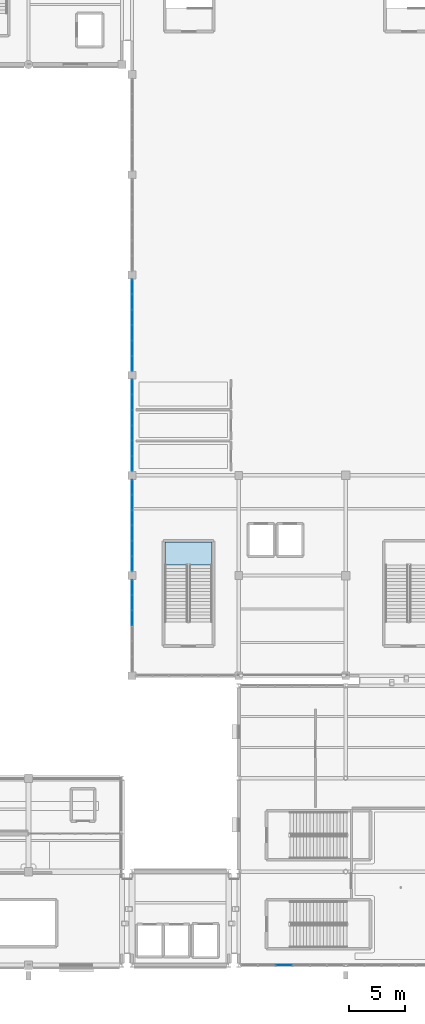
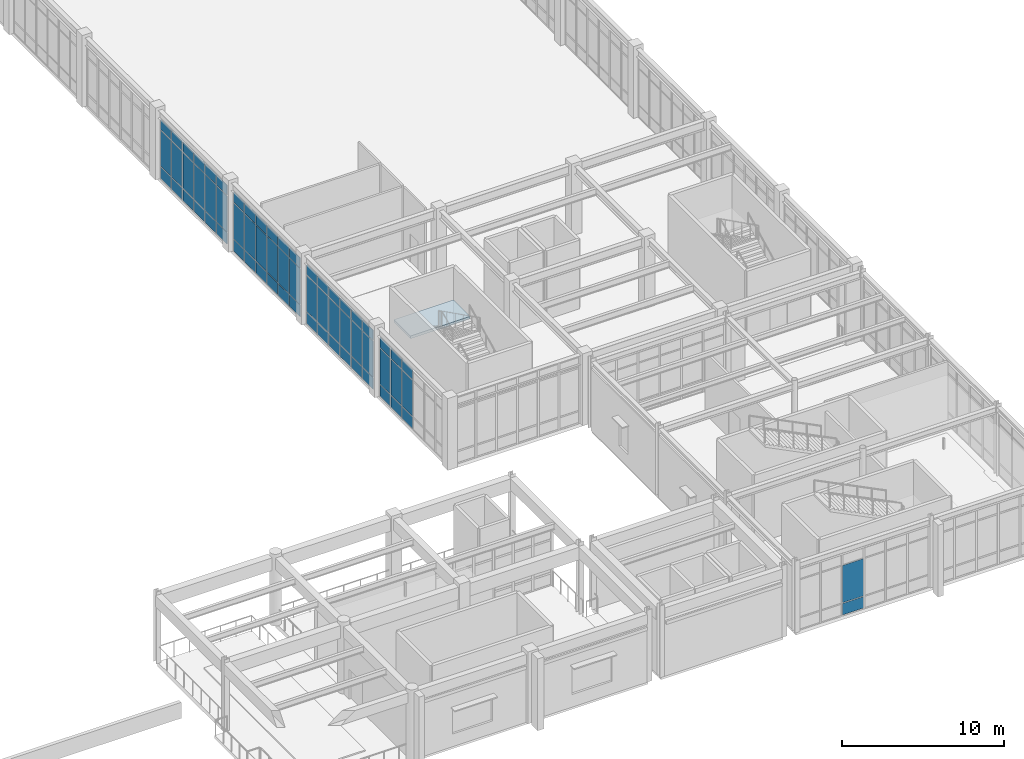
# One storey, part 56 of 80: 65 plates, 1 slab, 6 elements without a shape of their own.
"""IFC4 building model written with IfcOpenShell, lengths in metres."""

from ifc_helpers import new_model, si_unit, direction, frame, origin, origin_2d, place, context, subcontext, project, spatial, polyline, rectangle, outline, extrude, material, layer, layer_set, type_object, element, aggregate, save


model = new_model("IFC4")

# Units and contexts
model_context = context("Model", 3, precision=1e-05, world=origin(), true_north=direction((0.0, 1.0)))
body_context = subcontext(model_context, "Body", "Model", "MODEL_VIEW")
ifc_project = project(units=[si_unit("LENGTHUNIT", "METRE"), si_unit("AREAUNIT", "SQUARE_METRE"), si_unit("VOLUMEUNIT", "CUBIC_METRE"), si_unit("PLANEANGLEUNIT", "RADIAN"), si_unit("MASSUNIT", "GRAM", prefix="KILO")], contexts=[model_context])

# Site, building, storey
site_placement = place(None, origin())
site = spatial("IfcSite", under=ifc_project, at=site_placement, CompositionType="ELEMENT")
building_placement = place(site_placement, origin())
building = spatial("IfcBuilding", under=site, at=building_placement, Name="Canglan Escarpment Cableway Terminal", CompositionType="ELEMENT")
storey_placement = place(building_placement, frame((0.0, 0.0, 19.199951171875)))
storey = spatial("IfcBuildingStorey", under=building, at=storey_placement, Name="L04", CompositionType="ELEMENT", Elevation=19.199951171875)

# Curtain wall, plates
ifc_material_1 = material(Name="Anodized bronze aluminium and Low-E double glazing", Category="aluminium")
curtain_wall_type_1 = type_object("IfcCurtainWallType", Name="CW-BAY-8300x4550", PredefinedType="NOTDEFINED", material=ifc_material_1)
curtain_wall_1_placement = place(storey_placement, origin())
curtain_wall_1 = element("IfcCurtainWall", 1, at=curtain_wall_1_placement, inside=storey, type_object=curtain_wall_type_1, Name="Classical bay-between-piers glazed curtain wall CW-64", PredefinedType="NOTDEFINED")
ifc_material_2 = material(Name="Double-silver Low-E laminated insulating glass", Category="glass")
ifc_layer_1 = layer(ifc_material_2, 0.02392578125, Name="Double-silver Low-E laminated insulating glass")
ifc_layer_set_1 = layer_set([ifc_layer_1], Name="Double-silver Low-E laminated insulating glass")
plate_type_1 = type_object("IfcPlateType", Name="CWP-01", PredefinedType="CURTAIN_PANEL", material=ifc_layer_set_1)
plate_1_placement = place(storey_placement, frame((137.60009765625, 68.942138671875, 0.06005859375), z_axis=(0.0, 0.0, 1.0), x_axis=(0.0, -1.0, 0.0)))
plate_1 = element("IfcPlate", 2, at=plate_1_placement, type_object=plate_type_1, Name="CW-64 panel 1.1", PredefinedType="CURTAIN_PANEL", context=body_context, shape_type="SweptSolid", body=[
    extrude(rectangle(XDim=1.285888671875, YDim=0.02392578125, at=origin_2d()), origin(), (0.0, 0.0, 1.0), 0.860107421875),
])
plate_2_placement = place(storey_placement, frame((137.60009765625, 68.942138671875, 0.97998046875), z_axis=(0.0, 0.0, 1.0), x_axis=(0.0, -1.0, 0.0)))
plate_2 = element("IfcPlate", 3, at=plate_2_placement, type_object=plate_type_1, Name="CW-64 panel 1.2", PredefinedType="CURTAIN_PANEL", context=body_context, shape_type="SweptSolid", body=[
    extrude(rectangle(XDim=1.285888671875, YDim=0.02392578125, at=origin_2d()), origin(), (0.0, 0.0, 1.0), 2.69091796875),
])
plate_3_placement = place(storey_placement, frame((137.60009765625, 68.942138671875, 3.73095703125), z_axis=(0.0, 0.0, 1.0), x_axis=(0.0, -1.0, 0.0)))
plate_3 = element("IfcPlate", 4, at=plate_3_placement, type_object=plate_type_1, Name="CW-64 panel 1.3", PredefinedType="CURTAIN_PANEL", context=body_context, shape_type="SweptSolid", body=[
    extrude(rectangle(XDim=1.285888671875, YDim=0.02392578125, at=origin_2d()), origin(), (0.0, 0.0, 1.0), 0.760009765625),
])
plate_4_placement = place(storey_placement, frame((137.60009765625, 67.574951171875, 0.06005859375), z_axis=(0.0, 0.0, 1.0), x_axis=(0.0, -1.0, 0.0)))
plate_4 = element("IfcPlate", 5, at=plate_4_placement, type_object=plate_type_1, Name="CW-64 panel 2.1", PredefinedType="CURTAIN_PANEL", context=body_context, shape_type="SweptSolid", body=[
    extrude(rectangle(XDim=1.318359375, YDim=0.02392578125, at=origin_2d()), origin(), (0.0, 0.0, 1.0), 0.860107421875),
])
plate_5_placement = place(storey_placement, frame((137.60009765625, 67.574951171875, 0.97998046875), z_axis=(0.0, 0.0, 1.0), x_axis=(0.0, -1.0, 0.0)))
plate_5 = element("IfcPlate", 6, at=plate_5_placement, type_object=plate_type_1, Name="CW-64 panel 2.2", PredefinedType="CURTAIN_PANEL", context=body_context, shape_type="SweptSolid", body=[
    extrude(rectangle(XDim=1.318359375, YDim=0.02392578125, at=origin_2d()), origin(), (0.0, 0.0, 1.0), 2.69091796875),
])
plate_6_placement = place(storey_placement, frame((137.60009765625, 67.574951171875, 3.73095703125), z_axis=(0.0, 0.0, 1.0), x_axis=(0.0, -1.0, 0.0)))
plate_6 = element("IfcPlate", 7, at=plate_6_placement, type_object=plate_type_1, Name="CW-64 panel 2.3", PredefinedType="CURTAIN_PANEL", context=body_context, shape_type="SweptSolid", body=[
    extrude(rectangle(XDim=1.318359375, YDim=0.02392578125, at=origin_2d()), origin(), (0.0, 0.0, 1.0), 0.760009765625),
])
plate_7_placement = place(storey_placement, frame((137.60009765625, 66.191650390625, 0.06005859375), z_axis=(0.0, 0.0, 1.0), x_axis=(0.0, -1.0, 0.0)))
plate_7 = element("IfcPlate", 8, at=plate_7_placement, type_object=plate_type_1, Name="CW-64 panel 3.1", PredefinedType="CURTAIN_PANEL", context=body_context, shape_type="SweptSolid", body=[
    extrude(rectangle(XDim=1.318359375, YDim=0.02392578125, at=origin_2d()), origin(), (0.0, 0.0, 1.0), 0.860107421875),
])
plate_8_placement = place(storey_placement, frame((137.60009765625, 66.191650390625, 0.97998046875), z_axis=(0.0, 0.0, 1.0), x_axis=(0.0, -1.0, 0.0)))
plate_8 = element("IfcPlate", 9, at=plate_8_placement, type_object=plate_type_1, Name="CW-64 panel 3.2", PredefinedType="CURTAIN_PANEL", context=body_context, shape_type="SweptSolid", body=[
    extrude(rectangle(XDim=1.318359375, YDim=0.02392578125, at=origin_2d()), origin(), (0.0, 0.0, 1.0), 2.69091796875),
])
plate_9_placement = place(storey_placement, frame((137.60009765625, 66.191650390625, 3.73095703125), z_axis=(0.0, 0.0, 1.0), x_axis=(0.0, -1.0, 0.0)))
plate_9 = element("IfcPlate", 10, at=plate_9_placement, type_object=plate_type_1, Name="CW-64 panel 3.3", PredefinedType="CURTAIN_PANEL", context=body_context, shape_type="SweptSolid", body=[
    extrude(rectangle(XDim=1.318359375, YDim=0.02392578125, at=origin_2d()), origin(), (0.0, 0.0, 1.0), 0.760009765625),
])
plate_10_placement = place(storey_placement, frame((137.60009765625, 64.808349609375, 0.06005859375), z_axis=(0.0, 0.0, 1.0), x_axis=(0.0, -1.0, 0.0)))
plate_10 = element("IfcPlate", 11, at=plate_10_placement, type_object=plate_type_1, Name="CW-64 panel 4.1", PredefinedType="CURTAIN_PANEL", context=body_context, shape_type="SweptSolid", body=[
    extrude(rectangle(XDim=1.318359375, YDim=0.02392578125, at=origin_2d()), origin(), (0.0, 0.0, 1.0), 0.860107421875),
])
plate_11_placement = place(storey_placement, frame((137.60009765625, 64.808349609375, 0.97998046875), z_axis=(0.0, 0.0, 1.0), x_axis=(0.0, -1.0, 0.0)))
plate_11 = element("IfcPlate", 12, at=plate_11_placement, type_object=plate_type_1, Name="CW-64 panel 4.2", PredefinedType="CURTAIN_PANEL", context=body_context, shape_type="SweptSolid", body=[
    extrude(rectangle(XDim=1.318359375, YDim=0.02392578125, at=origin_2d()), origin(), (0.0, 0.0, 1.0), 2.69091796875),
])
plate_12_placement = place(storey_placement, frame((137.60009765625, 64.808349609375, 3.73095703125), z_axis=(0.0, 0.0, 1.0), x_axis=(0.0, -1.0, 0.0)))
plate_12 = element("IfcPlate", 13, at=plate_12_placement, type_object=plate_type_1, Name="CW-64 panel 4.3", PredefinedType="CURTAIN_PANEL", context=body_context, shape_type="SweptSolid", body=[
    extrude(rectangle(XDim=1.318359375, YDim=0.02392578125, at=origin_2d()), origin(), (0.0, 0.0, 1.0), 0.760009765625),
])
plate_13_placement = place(storey_placement, frame((137.60009765625, 63.425048828125, 0.06005859375), z_axis=(0.0, 0.0, 1.0), x_axis=(0.0, -1.0, 0.0)))
plate_13 = element("IfcPlate", 14, at=plate_13_placement, type_object=plate_type_1, Name="CW-64 panel 5.1", PredefinedType="CURTAIN_PANEL", context=body_context, shape_type="SweptSolid", body=[
    extrude(rectangle(XDim=1.318359375, YDim=0.02392578125, at=origin_2d()), origin(), (0.0, 0.0, 1.0), 0.860107421875),
])
plate_14_placement = place(storey_placement, frame((137.60009765625, 63.425048828125, 0.97998046875), z_axis=(0.0, 0.0, 1.0), x_axis=(0.0, -1.0, 0.0)))
plate_14 = element("IfcPlate", 15, at=plate_14_placement, type_object=plate_type_1, Name="CW-64 panel 5.2", PredefinedType="CURTAIN_PANEL", context=body_context, shape_type="SweptSolid", body=[
    extrude(rectangle(XDim=1.318359375, YDim=0.02392578125, at=origin_2d()), origin(), (0.0, 0.0, 1.0), 2.69091796875),
])
plate_15_placement = place(storey_placement, frame((137.60009765625, 63.425048828125, 3.73095703125), z_axis=(0.0, 0.0, 1.0), x_axis=(0.0, -1.0, 0.0)))
plate_15 = element("IfcPlate", 16, at=plate_15_placement, type_object=plate_type_1, Name="CW-64 panel 5.3", PredefinedType="CURTAIN_PANEL", context=body_context, shape_type="SweptSolid", body=[
    extrude(rectangle(XDim=1.318359375, YDim=0.02392578125, at=origin_2d()), origin(), (0.0, 0.0, 1.0), 0.760009765625),
])
plate_16_placement = place(storey_placement, frame((137.60009765625, 62.057861328125, 0.06005859375), z_axis=(0.0, 0.0, 1.0), x_axis=(0.0, -1.0, 0.0)))
plate_16 = element("IfcPlate", 17, at=plate_16_placement, type_object=plate_type_1, Name="CW-64 panel 6.1", PredefinedType="CURTAIN_PANEL", context=body_context, shape_type="SweptSolid", body=[
    extrude(rectangle(XDim=1.285888671875, YDim=0.02392578125, at=origin_2d()), origin(), (0.0, 0.0, 1.0), 0.860107421875),
])
plate_17_placement = place(storey_placement, frame((137.60009765625, 62.057861328125, 0.97998046875), z_axis=(0.0, 0.0, 1.0), x_axis=(0.0, -1.0, 0.0)))
plate_17 = element("IfcPlate", 18, at=plate_17_placement, type_object=plate_type_1, Name="CW-64 panel 6.2", PredefinedType="CURTAIN_PANEL", context=body_context, shape_type="SweptSolid", body=[
    extrude(rectangle(XDim=1.285888671875, YDim=0.02392578125, at=origin_2d()), origin(), (0.0, 0.0, 1.0), 2.69091796875),
])
plate_18_placement = place(storey_placement, frame((137.60009765625, 62.057861328125, 3.73095703125), z_axis=(0.0, 0.0, 1.0), x_axis=(0.0, -1.0, 0.0)))
plate_18 = element("IfcPlate", 19, at=plate_18_placement, type_object=plate_type_1, Name="CW-64 panel 6.3", PredefinedType="CURTAIN_PANEL", context=body_context, shape_type="SweptSolid", body=[
    extrude(rectangle(XDim=1.285888671875, YDim=0.02392578125, at=origin_2d()), origin(), (0.0, 0.0, 1.0), 0.760009765625),
])
aggregate(curtain_wall_1, [plate_1, plate_2, plate_3, plate_4, plate_5, plate_6, plate_7, plate_8, plate_9, plate_10, plate_11, plate_12, plate_13, plate_14, plate_15, plate_16, plate_17, plate_18])

curtain_wall_type_2 = type_object("IfcCurtainWallType", Name="CW-BAY-9300x4650", PredefinedType="NOTDEFINED", material=ifc_material_1)
curtain_wall_2_placement = place(storey_placement, origin())
curtain_wall_2 = element("IfcCurtainWall", 20, at=curtain_wall_2_placement, inside=storey, type_object=curtain_wall_type_2, Name="Classical bay-between-piers glazed curtain wall CW-33", PredefinedType="NOTDEFINED")
ifc_layer_2 = layer(ifc_material_2, 0.028076171875, Name="Double-silver Low-E laminated insulating glass")
ifc_layer_set_2 = layer_set([ifc_layer_2], Name="Double-silver Low-E laminated insulating glass")
plate_type_2 = type_object("IfcPlateType", Name="CWP-02", PredefinedType="CURTAIN_PANEL", material=ifc_layer_set_2)
plate_19_placement = place(storey_placement, frame((151.25, 8.0, 0.05517578125), z_axis=(0.0, 0.0, 1.0), x_axis=(1.0, 0.0, 0.0)))
plate_19 = element("IfcPlate", 21, at=plate_19_placement, type_object=plate_type_2, Name="CW-33 panel 3.1", PredefinedType="CURTAIN_PANEL", context=body_context, shape_type="SweptSolid", body=[
    extrude(rectangle(XDim=1.489990234375, YDim=0.028076171875, at=origin_2d()), origin(), (0.0, 0.0, 1.0), 0.867431640625),
])
plate_20_placement = place(storey_placement, frame((151.25, 8.0, 0.9775390625), z_axis=(0.0, 0.0, 1.0), x_axis=(1.0, 0.0, 0.0)))
plate_20 = element("IfcPlate", 22, at=plate_20_placement, type_object=plate_type_2, Name="CW-33 panel 3.2", PredefinedType="CURTAIN_PANEL", context=body_context, shape_type="SweptSolid", body=[
    extrude(rectangle(XDim=1.489990234375, YDim=0.028076171875, at=origin_2d()), origin(), (0.0, 0.0, 1.0), 2.802001953125),
])
aggregate(curtain_wall_2, [plate_19, plate_20])

curtain_wall_3_placement = place(storey_placement, origin())
curtain_wall_3 = element("IfcCurtainWall", 23, at=curtain_wall_3_placement, inside=storey, type_object=curtain_wall_type_1, Name="Classical bay-between-piers glazed curtain wall CW-64", PredefinedType="NOTDEFINED")
plate_21_placement = place(storey_placement, frame((137.60009765625, 41.942138671875, 0.06005859375), z_axis=(0.0, 0.0, 1.0), x_axis=(0.0, -1.0, 0.0)))
plate_21 = element("IfcPlate", 24, at=plate_21_placement, type_object=plate_type_2, Name="CW-64 panel 1.1", PredefinedType="CURTAIN_PANEL", context=body_context, shape_type="SweptSolid", body=[
    extrude(rectangle(XDim=1.285888671875, YDim=0.028076171875, at=origin_2d()), origin(), (0.0, 0.0, 1.0), 0.860107421875),
])
plate_22_placement = place(storey_placement, frame((137.60009765625, 41.942138671875, 0.97998046875), z_axis=(0.0, 0.0, 1.0), x_axis=(0.0, -1.0, 0.0)))
plate_22 = element("IfcPlate", 25, at=plate_22_placement, type_object=plate_type_2, Name="CW-64 panel 1.2", PredefinedType="CURTAIN_PANEL", context=body_context, shape_type="SweptSolid", body=[
    extrude(rectangle(XDim=1.285888671875, YDim=0.028076171875, at=origin_2d()), origin(), (0.0, 0.0, 1.0), 2.69091796875),
])
plate_23_placement = place(storey_placement, frame((137.60009765625, 41.942138671875, 3.73095703125), z_axis=(0.0, 0.0, 1.0), x_axis=(0.0, -1.0, 0.0)))
plate_23 = element("IfcPlate", 26, at=plate_23_placement, type_object=plate_type_2, Name="CW-64 panel 1.3", PredefinedType="CURTAIN_PANEL", context=body_context, shape_type="SweptSolid", body=[
    extrude(rectangle(XDim=1.285888671875, YDim=0.028076171875, at=origin_2d()), origin(), (0.0, 0.0, 1.0), 0.760009765625),
])
plate_24_placement = place(storey_placement, frame((137.60009765625, 40.574951171875, 0.06005859375), z_axis=(0.0, 0.0, 1.0), x_axis=(0.0, -1.0, 0.0)))
plate_24 = element("IfcPlate", 27, at=plate_24_placement, type_object=plate_type_2, Name="CW-64 panel 2.1", PredefinedType="CURTAIN_PANEL", context=body_context, shape_type="SweptSolid", body=[
    extrude(rectangle(XDim=1.318359375, YDim=0.028076171875, at=origin_2d()), origin(), (0.0, 0.0, 1.0), 0.860107421875),
])
plate_25_placement = place(storey_placement, frame((137.60009765625, 40.574951171875, 0.97998046875), z_axis=(0.0, 0.0, 1.0), x_axis=(0.0, -1.0, 0.0)))
plate_25 = element("IfcPlate", 28, at=plate_25_placement, type_object=plate_type_2, Name="CW-64 panel 2.2", PredefinedType="CURTAIN_PANEL", context=body_context, shape_type="SweptSolid", body=[
    extrude(rectangle(XDim=1.318359375, YDim=0.028076171875, at=origin_2d()), origin(), (0.0, 0.0, 1.0), 2.69091796875),
])
plate_26_placement = place(storey_placement, frame((137.60009765625, 40.574951171875, 3.73095703125), z_axis=(0.0, 0.0, 1.0), x_axis=(0.0, -1.0, 0.0)))
plate_26 = element("IfcPlate", 29, at=plate_26_placement, type_object=plate_type_2, Name="CW-64 panel 2.3", PredefinedType="CURTAIN_PANEL", context=body_context, shape_type="SweptSolid", body=[
    extrude(rectangle(XDim=1.318359375, YDim=0.028076171875, at=origin_2d()), origin(), (0.0, 0.0, 1.0), 0.760009765625),
])
plate_27_placement = place(storey_placement, frame((137.60009765625, 39.191650390625, 0.06005859375), z_axis=(0.0, 0.0, 1.0), x_axis=(0.0, -1.0, 0.0)))
plate_27 = element("IfcPlate", 30, at=plate_27_placement, type_object=plate_type_2, Name="CW-64 panel 3.1", PredefinedType="CURTAIN_PANEL", context=body_context, shape_type="SweptSolid", body=[
    extrude(rectangle(XDim=1.318359375, YDim=0.028076171875, at=origin_2d()), origin(), (0.0, 0.0, 1.0), 0.860107421875),
])
plate_28_placement = place(storey_placement, frame((137.60009765625, 39.191650390625, 0.97998046875), z_axis=(0.0, 0.0, 1.0), x_axis=(0.0, -1.0, 0.0)))
plate_28 = element("IfcPlate", 31, at=plate_28_placement, type_object=plate_type_2, Name="CW-64 panel 3.2", PredefinedType="CURTAIN_PANEL", context=body_context, shape_type="SweptSolid", body=[
    extrude(rectangle(XDim=1.318359375, YDim=0.028076171875, at=origin_2d()), origin(), (0.0, 0.0, 1.0), 2.69091796875),
])
plate_29_placement = place(storey_placement, frame((137.60009765625, 39.191650390625, 3.73095703125), z_axis=(0.0, 0.0, 1.0), x_axis=(0.0, -1.0, 0.0)))
plate_29 = element("IfcPlate", 32, at=plate_29_placement, type_object=plate_type_2, Name="CW-64 panel 3.3", PredefinedType="CURTAIN_PANEL", context=body_context, shape_type="SweptSolid", body=[
    extrude(rectangle(XDim=1.318359375, YDim=0.028076171875, at=origin_2d()), origin(), (0.0, 0.0, 1.0), 0.760009765625),
])
aggregate(curtain_wall_3, [plate_21, plate_22, plate_23, plate_24, plate_25, plate_26, plate_27, plate_28, plate_29])

curtain_wall_4_placement = place(storey_placement, origin())
curtain_wall_4 = element("IfcCurtainWall", 33, at=curtain_wall_4_placement, inside=storey, type_object=curtain_wall_type_1, Name="Classical bay-between-piers glazed curtain wall CW-64", PredefinedType="NOTDEFINED")
ifc_layer_3 = layer(ifc_material_2, 0.031982421875, Name="Double-silver Low-E laminated insulating glass")
ifc_layer_set_3 = layer_set([ifc_layer_3], Name="Double-silver Low-E laminated insulating glass")
plate_type_3 = type_object("IfcPlateType", Name="CWP-03", PredefinedType="CURTAIN_PANEL", material=ifc_layer_set_3)
plate_30_placement = place(storey_placement, frame((137.60009765625, 50.942138671875, 0.06494140625), z_axis=(0.0, 0.0, 1.0), x_axis=(0.0, -1.0, 0.0)))
plate_30 = element("IfcPlate", 34, at=plate_30_placement, type_object=plate_type_3, Name="CW-64 panel 1.1", PredefinedType="CURTAIN_PANEL", context=body_context, shape_type="SweptSolid", body=[
    extrude(rectangle(XDim=1.285888671875, YDim=0.031982421875, at=origin_2d()), origin(), (0.0, 0.0, 1.0), 0.8525390625),
])
plate_31_placement = place(storey_placement, frame((137.60009765625, 50.942138671875, 0.982421875), z_axis=(0.0, 0.0, 1.0), x_axis=(0.0, -1.0, 0.0)))
plate_31 = element("IfcPlate", 35, at=plate_31_placement, type_object=plate_type_3, Name="CW-64 panel 1.2", PredefinedType="CURTAIN_PANEL", context=body_context, shape_type="SweptSolid", body=[
    extrude(rectangle(XDim=1.285888671875, YDim=0.031982421875, at=origin_2d()), origin(), (0.0, 0.0, 1.0), 2.68603515625),
])
plate_32_placement = place(storey_placement, frame((137.60009765625, 50.942138671875, 3.733642578125), z_axis=(0.0, 0.0, 1.0), x_axis=(0.0, -1.0, 0.0)))
plate_32 = element("IfcPlate", 36, at=plate_32_placement, type_object=plate_type_3, Name="CW-64 panel 1.3", PredefinedType="CURTAIN_PANEL", context=body_context, shape_type="SweptSolid", body=[
    extrude(rectangle(XDim=1.285888671875, YDim=0.031982421875, at=origin_2d()), origin(), (0.0, 0.0, 1.0), 0.75244140625),
])
plate_33_placement = place(storey_placement, frame((137.60009765625, 49.574951171875, 0.06494140625), z_axis=(0.0, 0.0, 1.0), x_axis=(0.0, -1.0, 0.0)))
plate_33 = element("IfcPlate", 37, at=plate_33_placement, type_object=plate_type_3, Name="CW-64 panel 2.1", PredefinedType="CURTAIN_PANEL", context=body_context, shape_type="SweptSolid", body=[
    extrude(rectangle(XDim=1.318359375, YDim=0.031982421875, at=origin_2d()), origin(), (0.0, 0.0, 1.0), 0.8525390625),
])
plate_34_placement = place(storey_placement, frame((137.60009765625, 49.574951171875, 0.982421875), z_axis=(0.0, 0.0, 1.0), x_axis=(0.0, -1.0, 0.0)))
plate_34 = element("IfcPlate", 38, at=plate_34_placement, type_object=plate_type_3, Name="CW-64 panel 2.2", PredefinedType="CURTAIN_PANEL", context=body_context, shape_type="SweptSolid", body=[
    extrude(rectangle(XDim=1.318359375, YDim=0.031982421875, at=origin_2d()), origin(), (0.0, 0.0, 1.0), 2.68603515625),
])
plate_35_placement = place(storey_placement, frame((137.60009765625, 49.574951171875, 3.733642578125), z_axis=(0.0, 0.0, 1.0), x_axis=(0.0, -1.0, 0.0)))
plate_35 = element("IfcPlate", 39, at=plate_35_placement, type_object=plate_type_3, Name="CW-64 panel 2.3", PredefinedType="CURTAIN_PANEL", context=body_context, shape_type="SweptSolid", body=[
    extrude(rectangle(XDim=1.318359375, YDim=0.031982421875, at=origin_2d()), origin(), (0.0, 0.0, 1.0), 0.75244140625),
])
plate_36_placement = place(storey_placement, frame((137.60009765625, 48.191650390625, 0.06494140625), z_axis=(0.0, 0.0, 1.0), x_axis=(0.0, -1.0, 0.0)))
plate_36 = element("IfcPlate", 40, at=plate_36_placement, type_object=plate_type_3, Name="CW-64 panel 3.1", PredefinedType="CURTAIN_PANEL", context=body_context, shape_type="SweptSolid", body=[
    extrude(rectangle(XDim=1.318359375, YDim=0.031982421875, at=origin_2d()), origin(), (0.0, 0.0, 1.0), 0.8525390625),
])
plate_37_placement = place(storey_placement, frame((137.60009765625, 48.191650390625, 0.982421875), z_axis=(0.0, 0.0, 1.0), x_axis=(0.0, -1.0, 0.0)))
plate_37 = element("IfcPlate", 41, at=plate_37_placement, type_object=plate_type_3, Name="CW-64 panel 3.2", PredefinedType="CURTAIN_PANEL", context=body_context, shape_type="SweptSolid", body=[
    extrude(rectangle(XDim=1.318359375, YDim=0.031982421875, at=origin_2d()), origin(), (0.0, 0.0, 1.0), 2.68603515625),
])
plate_38_placement = place(storey_placement, frame((137.60009765625, 48.191650390625, 3.733642578125), z_axis=(0.0, 0.0, 1.0), x_axis=(0.0, -1.0, 0.0)))
plate_38 = element("IfcPlate", 42, at=plate_38_placement, type_object=plate_type_3, Name="CW-64 panel 3.3", PredefinedType="CURTAIN_PANEL", context=body_context, shape_type="SweptSolid", body=[
    extrude(rectangle(XDim=1.318359375, YDim=0.031982421875, at=origin_2d()), origin(), (0.0, 0.0, 1.0), 0.75244140625),
])
plate_39_placement = place(storey_placement, frame((137.60009765625, 46.808349609375, 0.06494140625), z_axis=(0.0, 0.0, 1.0), x_axis=(0.0, -1.0, 0.0)))
plate_39 = element("IfcPlate", 43, at=plate_39_placement, type_object=plate_type_3, Name="CW-64 panel 4.1", PredefinedType="CURTAIN_PANEL", context=body_context, shape_type="SweptSolid", body=[
    extrude(rectangle(XDim=1.318359375, YDim=0.031982421875, at=origin_2d()), origin(), (0.0, 0.0, 1.0), 0.8525390625),
])
plate_40_placement = place(storey_placement, frame((137.60009765625, 46.808349609375, 0.982421875), z_axis=(0.0, 0.0, 1.0), x_axis=(0.0, -1.0, 0.0)))
plate_40 = element("IfcPlate", 44, at=plate_40_placement, type_object=plate_type_3, Name="CW-64 panel 4.2", PredefinedType="CURTAIN_PANEL", context=body_context, shape_type="SweptSolid", body=[
    extrude(rectangle(XDim=1.318359375, YDim=0.031982421875, at=origin_2d()), origin(), (0.0, 0.0, 1.0), 2.68603515625),
])
plate_41_placement = place(storey_placement, frame((137.60009765625, 46.808349609375, 3.733642578125), z_axis=(0.0, 0.0, 1.0), x_axis=(0.0, -1.0, 0.0)))
plate_41 = element("IfcPlate", 45, at=plate_41_placement, type_object=plate_type_3, Name="CW-64 panel 4.3", PredefinedType="CURTAIN_PANEL", context=body_context, shape_type="SweptSolid", body=[
    extrude(rectangle(XDim=1.318359375, YDim=0.031982421875, at=origin_2d()), origin(), (0.0, 0.0, 1.0), 0.75244140625),
])
plate_42_placement = place(storey_placement, frame((137.60009765625, 45.425048828125, 0.06494140625), z_axis=(0.0, 0.0, 1.0), x_axis=(0.0, -1.0, 0.0)))
plate_42 = element("IfcPlate", 46, at=plate_42_placement, type_object=plate_type_3, Name="CW-64 panel 5.1", PredefinedType="CURTAIN_PANEL", context=body_context, shape_type="SweptSolid", body=[
    extrude(rectangle(XDim=1.318359375, YDim=0.031982421875, at=origin_2d()), origin(), (0.0, 0.0, 1.0), 0.8525390625),
])
plate_43_placement = place(storey_placement, frame((137.60009765625, 45.425048828125, 0.982421875), z_axis=(0.0, 0.0, 1.0), x_axis=(0.0, -1.0, 0.0)))
plate_43 = element("IfcPlate", 47, at=plate_43_placement, type_object=plate_type_3, Name="CW-64 panel 5.2", PredefinedType="CURTAIN_PANEL", context=body_context, shape_type="SweptSolid", body=[
    extrude(rectangle(XDim=1.318359375, YDim=0.031982421875, at=origin_2d()), origin(), (0.0, 0.0, 1.0), 2.68603515625),
])
plate_44_placement = place(storey_placement, frame((137.60009765625, 45.425048828125, 3.733642578125), z_axis=(0.0, 0.0, 1.0), x_axis=(0.0, -1.0, 0.0)))
plate_44 = element("IfcPlate", 48, at=plate_44_placement, type_object=plate_type_3, Name="CW-64 panel 5.3", PredefinedType="CURTAIN_PANEL", context=body_context, shape_type="SweptSolid", body=[
    extrude(rectangle(XDim=1.318359375, YDim=0.031982421875, at=origin_2d()), origin(), (0.0, 0.0, 1.0), 0.75244140625),
])
plate_45_placement = place(storey_placement, frame((137.60009765625, 44.057861328125, 0.06494140625), z_axis=(0.0, 0.0, 1.0), x_axis=(0.0, -1.0, 0.0)))
plate_45 = element("IfcPlate", 49, at=plate_45_placement, type_object=plate_type_3, Name="CW-64 panel 6.1", PredefinedType="CURTAIN_PANEL", context=body_context, shape_type="SweptSolid", body=[
    extrude(rectangle(XDim=1.285888671875, YDim=0.031982421875, at=origin_2d()), origin(), (0.0, 0.0, 1.0), 0.8525390625),
])
plate_46_placement = place(storey_placement, frame((137.60009765625, 44.057861328125, 0.982421875), z_axis=(0.0, 0.0, 1.0), x_axis=(0.0, -1.0, 0.0)))
plate_46 = element("IfcPlate", 50, at=plate_46_placement, type_object=plate_type_3, Name="CW-64 panel 6.2", PredefinedType="CURTAIN_PANEL", context=body_context, shape_type="SweptSolid", body=[
    extrude(rectangle(XDim=1.285888671875, YDim=0.031982421875, at=origin_2d()), origin(), (0.0, 0.0, 1.0), 2.68603515625),
])
plate_47_placement = place(storey_placement, frame((137.60009765625, 44.057861328125, 3.733642578125), z_axis=(0.0, 0.0, 1.0), x_axis=(0.0, -1.0, 0.0)))
plate_47 = element("IfcPlate", 51, at=plate_47_placement, type_object=plate_type_3, Name="CW-64 panel 6.3", PredefinedType="CURTAIN_PANEL", context=body_context, shape_type="SweptSolid", body=[
    extrude(rectangle(XDim=1.285888671875, YDim=0.031982421875, at=origin_2d()), origin(), (0.0, 0.0, 1.0), 0.75244140625),
])
aggregate(curtain_wall_4, [plate_30, plate_31, plate_32, plate_33, plate_34, plate_35, plate_36, plate_37, plate_38, plate_39, plate_40, plate_41, plate_42, plate_43, plate_44, plate_45, plate_46, plate_47])

curtain_wall_5_placement = place(storey_placement, origin())
curtain_wall_5 = element("IfcCurtainWall", 52, at=curtain_wall_5_placement, inside=storey, type_object=curtain_wall_type_1, Name="Classical bay-between-piers glazed curtain wall CW-64", PredefinedType="NOTDEFINED")
ifc_layer_4 = layer(ifc_material_2, 0.035888671875, Name="Double-silver Low-E laminated insulating glass")
ifc_layer_set_4 = layer_set([ifc_layer_4], Name="Double-silver Low-E laminated insulating glass")
plate_type_4 = type_object("IfcPlateType", Name="CWP-04", PredefinedType="CURTAIN_PANEL", material=ifc_layer_set_4)
plate_48_placement = place(storey_placement, frame((137.60009765625, 59.943359375, 0.05517578125), z_axis=(0.0, 0.0, 1.0), x_axis=(0.0, -1.0, 0.0)))
plate_48 = element("IfcPlate", 53, at=plate_48_placement, type_object=plate_type_4, Name="CW-64 panel 1.1", PredefinedType="CURTAIN_PANEL", context=body_context, shape_type="SweptSolid", body=[
    extrude(rectangle(XDim=1.293212890625, YDim=0.035888671875, at=origin_2d()), origin(), (0.0, 0.0, 1.0), 0.867431640625),
])
plate_49_placement = place(storey_placement, frame((137.60009765625, 59.943359375, 0.9775390625), z_axis=(0.0, 0.0, 1.0), x_axis=(0.0, -1.0, 0.0)))
plate_49 = element("IfcPlate", 54, at=plate_49_placement, type_object=plate_type_4, Name="CW-64 panel 1.2", PredefinedType="CURTAIN_PANEL", context=body_context, shape_type="SweptSolid", body=[
    extrude(rectangle(XDim=1.293212890625, YDim=0.035888671875, at=origin_2d()), origin(), (0.0, 0.0, 1.0), 2.696044921875),
])
plate_50_placement = place(storey_placement, frame((137.60009765625, 59.943359375, 3.728515625), z_axis=(0.0, 0.0, 1.0), x_axis=(0.0, -1.0, 0.0)))
plate_50 = element("IfcPlate", 55, at=plate_50_placement, type_object=plate_type_4, Name="CW-64 panel 1.3", PredefinedType="CURTAIN_PANEL", context=body_context, shape_type="SweptSolid", body=[
    extrude(rectangle(XDim=1.293212890625, YDim=0.035888671875, at=origin_2d()), origin(), (0.0, 0.0, 1.0), 0.767578125),
])
plate_51_placement = place(storey_placement, frame((137.60009765625, 58.574951171875, 0.05517578125), z_axis=(0.0, 0.0, 1.0), x_axis=(0.0, -1.0, 0.0)))
plate_51 = element("IfcPlate", 56, at=plate_51_placement, type_object=plate_type_4, Name="CW-64 panel 2.1", PredefinedType="CURTAIN_PANEL", context=body_context, shape_type="SweptSolid", body=[
    extrude(rectangle(XDim=1.3232421875, YDim=0.035888671875, at=origin_2d()), origin(), (0.0, 0.0, 1.0), 0.867431640625),
])
plate_52_placement = place(storey_placement, frame((137.60009765625, 58.574951171875, 0.9775390625), z_axis=(0.0, 0.0, 1.0), x_axis=(0.0, -1.0, 0.0)))
plate_52 = element("IfcPlate", 57, at=plate_52_placement, type_object=plate_type_4, Name="CW-64 panel 2.2", PredefinedType="CURTAIN_PANEL", context=body_context, shape_type="SweptSolid", body=[
    extrude(rectangle(XDim=1.3232421875, YDim=0.035888671875, at=origin_2d()), origin(), (0.0, 0.0, 1.0), 2.696044921875),
])
plate_53_placement = place(storey_placement, frame((137.60009765625, 58.574951171875, 3.728515625), z_axis=(0.0, 0.0, 1.0), x_axis=(0.0, -1.0, 0.0)))
plate_53 = element("IfcPlate", 58, at=plate_53_placement, type_object=plate_type_4, Name="CW-64 panel 2.3", PredefinedType="CURTAIN_PANEL", context=body_context, shape_type="SweptSolid", body=[
    extrude(rectangle(XDim=1.3232421875, YDim=0.035888671875, at=origin_2d()), origin(), (0.0, 0.0, 1.0), 0.767578125),
])
plate_54_placement = place(storey_placement, frame((137.60009765625, 57.191650390625, 0.05517578125), z_axis=(0.0, 0.0, 1.0), x_axis=(0.0, -1.0, 0.0)))
plate_54 = element("IfcPlate", 59, at=plate_54_placement, type_object=plate_type_4, Name="CW-64 panel 3.1", PredefinedType="CURTAIN_PANEL", context=body_context, shape_type="SweptSolid", body=[
    extrude(rectangle(XDim=1.3232421875, YDim=0.035888671875, at=origin_2d()), origin(), (0.0, 0.0, 1.0), 0.867431640625),
])
plate_55_placement = place(storey_placement, frame((137.60009765625, 57.191650390625, 0.9775390625), z_axis=(0.0, 0.0, 1.0), x_axis=(0.0, -1.0, 0.0)))
plate_55 = element("IfcPlate", 60, at=plate_55_placement, type_object=plate_type_4, Name="CW-64 panel 3.2", PredefinedType="CURTAIN_PANEL", context=body_context, shape_type="SweptSolid", body=[
    extrude(rectangle(XDim=1.3232421875, YDim=0.035888671875, at=origin_2d()), origin(), (0.0, 0.0, 1.0), 2.696044921875),
])
plate_56_placement = place(storey_placement, frame((137.60009765625, 57.191650390625, 3.728515625), z_axis=(0.0, 0.0, 1.0), x_axis=(0.0, -1.0, 0.0)))
plate_56 = element("IfcPlate", 61, at=plate_56_placement, type_object=plate_type_4, Name="CW-64 panel 3.3", PredefinedType="CURTAIN_PANEL", context=body_context, shape_type="SweptSolid", body=[
    extrude(rectangle(XDim=1.3232421875, YDim=0.035888671875, at=origin_2d()), origin(), (0.0, 0.0, 1.0), 0.767578125),
])
plate_57_placement = place(storey_placement, frame((137.60009765625, 55.808349609375, 0.05517578125), z_axis=(0.0, 0.0, 1.0), x_axis=(0.0, -1.0, 0.0)))
plate_57 = element("IfcPlate", 62, at=plate_57_placement, type_object=plate_type_4, Name="CW-64 panel 4.1", PredefinedType="CURTAIN_PANEL", context=body_context, shape_type="SweptSolid", body=[
    extrude(rectangle(XDim=1.3232421875, YDim=0.035888671875, at=origin_2d()), origin(), (0.0, 0.0, 1.0), 0.867431640625),
])
plate_58_placement = place(storey_placement, frame((137.60009765625, 55.808349609375, 0.9775390625), z_axis=(0.0, 0.0, 1.0), x_axis=(0.0, -1.0, 0.0)))
plate_58 = element("IfcPlate", 63, at=plate_58_placement, type_object=plate_type_4, Name="CW-64 panel 4.2", PredefinedType="CURTAIN_PANEL", context=body_context, shape_type="SweptSolid", body=[
    extrude(rectangle(XDim=1.3232421875, YDim=0.035888671875, at=origin_2d()), origin(), (0.0, 0.0, 1.0), 2.696044921875),
])
plate_59_placement = place(storey_placement, frame((137.60009765625, 55.808349609375, 3.728515625), z_axis=(0.0, 0.0, 1.0), x_axis=(0.0, -1.0, 0.0)))
plate_59 = element("IfcPlate", 64, at=plate_59_placement, type_object=plate_type_4, Name="CW-64 panel 4.3", PredefinedType="CURTAIN_PANEL", context=body_context, shape_type="SweptSolid", body=[
    extrude(rectangle(XDim=1.3232421875, YDim=0.035888671875, at=origin_2d()), origin(), (0.0, 0.0, 1.0), 0.767578125),
])
plate_60_placement = place(storey_placement, frame((137.60009765625, 54.425048828125, 0.05517578125), z_axis=(0.0, 0.0, 1.0), x_axis=(0.0, -1.0, 0.0)))
plate_60 = element("IfcPlate", 65, at=plate_60_placement, type_object=plate_type_4, Name="CW-64 panel 5.1", PredefinedType="CURTAIN_PANEL", context=body_context, shape_type="SweptSolid", body=[
    extrude(rectangle(XDim=1.3232421875, YDim=0.035888671875, at=origin_2d()), origin(), (0.0, 0.0, 1.0), 0.867431640625),
])
plate_61_placement = place(storey_placement, frame((137.60009765625, 54.425048828125, 0.9775390625), z_axis=(0.0, 0.0, 1.0), x_axis=(0.0, -1.0, 0.0)))
plate_61 = element("IfcPlate", 66, at=plate_61_placement, type_object=plate_type_4, Name="CW-64 panel 5.2", PredefinedType="CURTAIN_PANEL", context=body_context, shape_type="SweptSolid", body=[
    extrude(rectangle(XDim=1.3232421875, YDim=0.035888671875, at=origin_2d()), origin(), (0.0, 0.0, 1.0), 2.696044921875),
])
plate_62_placement = place(storey_placement, frame((137.60009765625, 54.425048828125, 3.728515625), z_axis=(0.0, 0.0, 1.0), x_axis=(0.0, -1.0, 0.0)))
plate_62 = element("IfcPlate", 67, at=plate_62_placement, type_object=plate_type_4, Name="CW-64 panel 5.3", PredefinedType="CURTAIN_PANEL", context=body_context, shape_type="SweptSolid", body=[
    extrude(rectangle(XDim=1.3232421875, YDim=0.035888671875, at=origin_2d()), origin(), (0.0, 0.0, 1.0), 0.767578125),
])
plate_63_placement = place(storey_placement, frame((137.60009765625, 53.056640625, 0.05517578125), z_axis=(0.0, 0.0, 1.0), x_axis=(0.0, -1.0, 0.0)))
plate_63 = element("IfcPlate", 68, at=plate_63_placement, type_object=plate_type_4, Name="CW-64 panel 6.1", PredefinedType="CURTAIN_PANEL", context=body_context, shape_type="SweptSolid", body=[
    extrude(rectangle(XDim=1.293212890625, YDim=0.035888671875, at=origin_2d()), origin(), (0.0, 0.0, 1.0), 0.867431640625),
])
plate_64_placement = place(storey_placement, frame((137.60009765625, 53.056640625, 0.9775390625), z_axis=(0.0, 0.0, 1.0), x_axis=(0.0, -1.0, 0.0)))
plate_64 = element("IfcPlate", 69, at=plate_64_placement, type_object=plate_type_4, Name="CW-64 panel 6.2", PredefinedType="CURTAIN_PANEL", context=body_context, shape_type="SweptSolid", body=[
    extrude(rectangle(XDim=1.293212890625, YDim=0.035888671875, at=origin_2d()), origin(), (0.0, 0.0, 1.0), 2.696044921875),
])
plate_65_placement = place(storey_placement, frame((137.60009765625, 53.056640625, 3.728515625), z_axis=(0.0, 0.0, 1.0), x_axis=(0.0, -1.0, 0.0)))
plate_65 = element("IfcPlate", 70, at=plate_65_placement, type_object=plate_type_4, Name="CW-64 panel 6.3", PredefinedType="CURTAIN_PANEL", context=body_context, shape_type="SweptSolid", body=[
    extrude(rectangle(XDim=1.293212890625, YDim=0.035888671875, at=origin_2d()), origin(), (0.0, 0.0, 1.0), 0.767578125),
])
aggregate(curtain_wall_5, [plate_48, plate_49, plate_50, plate_51, plate_52, plate_53, plate_54, plate_55, plate_56, plate_57, plate_58, plate_59, plate_60, plate_61, plate_62, plate_63, plate_64, plate_65])

# Stair, slab
ifc_material_3 = material(Name="Concrete C40", Category="concrete")
stair_type = type_object("IfcStairType", Name="STR-DOGLEG-2050", PredefinedType="HALF_TURN_STAIR", material=ifc_material_3)
stair_placement = place(storey_placement, origin())
stair = element("IfcStair", 71, at=stair_placement, inside=storey, type_object=stair_type, Name="L04 Protected Exit Stair ST-13", PredefinedType="HALF_TURN_STAIR")
ifc_layer_5 = layer(ifc_material_3, 0.199951171875, Name="Concrete C40")
ifc_layer_set_5 = layer_set([ifc_layer_5], Name="Concrete C40")
slab_type = type_object("IfcSlabType", Name="SLB-STAIR-LAND-200", PredefinedType="LANDING", material=ifc_layer_set_5)
slab_placement = place(storey_placement, frame((0.0, 0.0, 2.5)))
slab = element("IfcSlab", 72, at=slab_placement, type_object=slab_type, Name="ST-13 landing 1", PredefinedType="LANDING", context=body_context, shape_type="SweptSolid", body=[
    extrude(outline(polyline([(144.800048828125, 43.949951171875), (144.800048828125, 46.0), (140.550048828125, 46.0), (140.550048828125, 43.949951171875), (144.800048828125, 43.949951171875)])), origin(), (0.0, 0.0, 1.0), 0.199951171875),
])
aggregate(stair, [slab])

save(model, "model.ifc")
